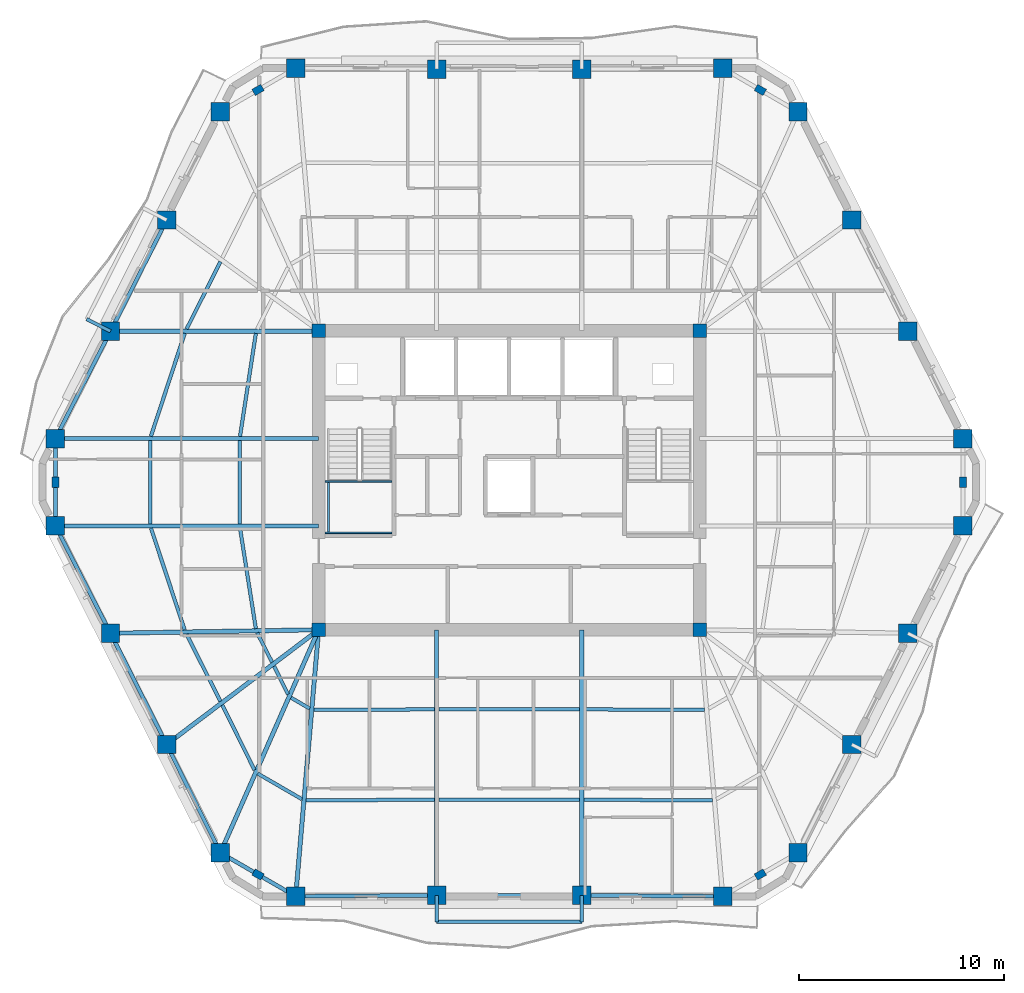
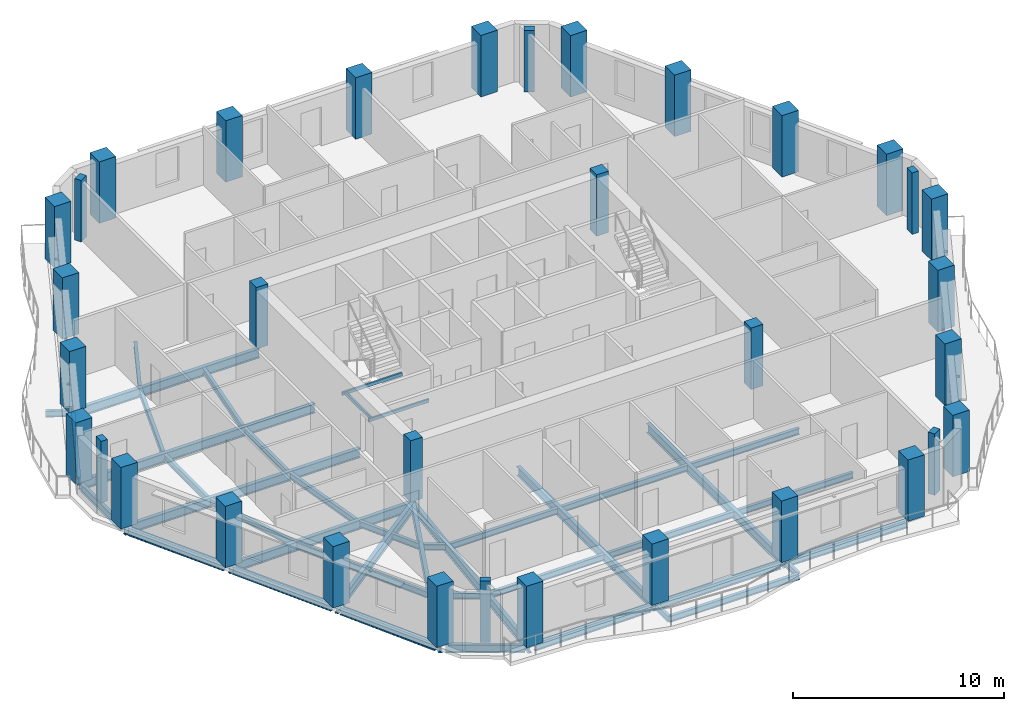
# One storey, part 1 of 11: 45 beams, 34 columns.
"""IFC4 building model written with IfcOpenShell, lengths in metres."""

import ifcopenshell
import ifcopenshell.guid

model = None  # the IFC model being written
_history = None  # IfcOwnerHistory: only IFC2X3 demands one
_inside = {}  # id of a spatial element -> (the spatial element, [elements in it])
_under = {}  # id of a project, library or spatial element -> (it, [spatial elements below it])
_declared = {}  # id of a project -> (the project, [libraries it declares])
_typed = {}  # id of a type object -> (the type object, [elements of that type])
_made_of = {}  # id of a material, layer set ... -> (it, [elements and type objects made of it])


def new_model(schema):
    """Start an empty IFC model of exactly this schema.

    Asked for "IFC4X3", IfcOpenShell would pick the latest addendum, in which some entities
    have other attributes; the version numbers below select the first issue.
    IFC2X3 requires an IfcOwnerHistory on every rooted entity: one is made here for all.
    """
    global model, _history
    if schema == "IFC4X3":
        model = ifcopenshell.file(schema_version=(4, 3, 0, 0))
    else:
        model = ifcopenshell.file(schema=schema)
    _inside.clear()
    _under.clear()
    _declared.clear()
    _typed.clear()
    _made_of.clear()
    _history = None
    if model.schema == "IFC2X3":
        org = make("IfcOrganization", Name="unknown")
        user = make(
            "IfcPersonAndOrganization",
            ThePerson=make("IfcPerson", FamilyName="unknown"),
            TheOrganization=org,
        )
        app = make(
            "IfcApplication",
            ApplicationDeveloper=org,
            Version="unknown",
            ApplicationFullName="unknown",
            ApplicationIdentifier="unknown",
        )
        _history = make(
            "IfcOwnerHistory",
            OwningUser=user,
            OwningApplication=app,
            ChangeAction="ADDED",
            CreationDate=0,
        )
    return model


def make(cls, **values):
    """One entity of the class cls with the attributes given. An attribute that is None is left unset."""
    return model.create_entity(
        cls, **{name: value for name, value in values.items() if value is not None}
    )


def rooted(cls, **values):
    """An entity with a GlobalId (a new one), such as an element, a storey or a relation."""
    return make(cls, GlobalId=ifcopenshell.guid.new(), OwnerHistory=_history, **values)


def si_unit(unit_type, name, prefix=None):
    """IfcSIUnit, for example si_unit("LENGTHUNIT", "METRE", prefix="MILLI")."""
    return make("IfcSIUnit", UnitType=unit_type, Prefix=prefix, Name=name)


def assignment(units):
    """IfcUnitAssignment: the units of a project."""
    return None if units is None else make("IfcUnitAssignment", Units=units)


def point(xyz):
    """IfcCartesianPoint."""
    return None if xyz is None else make("IfcCartesianPoint", Coordinates=xyz)


def direction(xyz):
    """IfcDirection."""
    return None if xyz is None else make("IfcDirection", DirectionRatios=xyz)


def frame(location, z_axis=None, x_axis=None):
    """IfcAxis2Placement3D, a coordinate frame: its origin and axes. An axis left out is left unset."""
    return make(
        "IfcAxis2Placement3D",
        Location=point(location),
        Axis=direction(z_axis),
        RefDirection=direction(x_axis),
    )


def frame_2d(location, x_axis=None):
    """IfcAxis2Placement2D, a coordinate frame in the plane: its origin and x axis."""
    return make(
        "IfcAxis2Placement2D", Location=point(location), RefDirection=direction(x_axis)
    )


def origin():
    """The frame at (0, 0, 0) with its axes left unset."""
    return frame((0.0, 0.0, 0.0))


def origin_2d():
    """The frame at (0, 0) in the plane with its x axis left unset."""
    return frame_2d((0.0, 0.0))


def place(relative_to, where):
    """IfcLocalPlacement: puts the frame where relative to a parent placement (None: the world)."""
    return make(
        "IfcLocalPlacement", PlacementRelTo=relative_to, RelativePlacement=where
    )


def context(
    kind, dimensions, precision=None, world=None, true_north=None, identifier=None
):
    """IfcGeometricRepresentationContext, for example the 3D "Model" context."""
    return make(
        "IfcGeometricRepresentationContext",
        ContextIdentifier=identifier,
        ContextType=kind,
        CoordinateSpaceDimension=dimensions,
        Precision=precision,
        WorldCoordinateSystem=world,
        TrueNorth=true_north,
    )


def subcontext(parent, identifier, kind, view, scale=None):
    """IfcGeometricRepresentationSubContext, for example "Body" below "Model"."""
    return make(
        "IfcGeometricRepresentationSubContext",
        ContextIdentifier=identifier,
        ContextType=kind,
        ParentContext=parent,
        TargetScale=scale,
        TargetView=view,
    )


def project(units=None, contexts=None):
    """IfcProject with its units and contexts."""
    return rooted(
        "IfcProject",
        Name="project",
        RepresentationContexts=contexts,
        UnitsInContext=assignment(units),
    )


def spatial(cls, under=None, at=None, **own):
    """A site, building, storey or space (cls), placed at a placement, below another one or the project."""
    s = rooted(cls, ObjectPlacement=at, **own)
    if under is not None:
        _under.setdefault(under.id(), (under, []))[1].append(s)
    return s


def profile(cls, at=None, kind="AREA", **sizes):
    """A parametric profile (cls). Its sizes go by their IFC names, for example OverallWidth=200.0."""
    return make(cls, ProfileType=kind, Position=at, **sizes)


def rectangle(**sizes):
    """IfcRectangleProfileDef."""
    return profile("IfcRectangleProfileDef", **sizes)


def hollow_rectangle(**sizes):
    """IfcRectangleHollowProfileDef."""
    return profile("IfcRectangleHollowProfileDef", **sizes)


def i_section(**sizes):
    """IfcIShapeProfileDef."""
    return profile("IfcIShapeProfileDef", **sizes)


def extrude(swept, where, along, depth):
    """IfcExtrudedAreaSolid: the profile swept, set in the frame where, extruded along a direction by depth."""
    return make(
        "IfcExtrudedAreaSolid",
        SweptArea=swept,
        Position=where,
        ExtrudedDirection=direction(along),
        Depth=depth,
    )


def shape(context_of_items, identifier, shape_type, items):
    """IfcShapeRepresentation: the items that make up one representation, for example the "Body"."""
    return make(
        "IfcShapeRepresentation",
        ContextOfItems=context_of_items,
        RepresentationIdentifier=identifier,
        RepresentationType=shape_type,
        Items=items,
    )


def material(Name=None, Category=None):
    """IfcMaterial."""
    return make("IfcMaterial", Name=Name, Category=Category)


def material_profile(
    of_material, cross_section, Name=None, Category=None, Priority=None
):
    """IfcMaterialProfile: a cross section and its material."""
    return make(
        "IfcMaterialProfile",
        Name=Name,
        Material=of_material,
        Profile=cross_section,
        Priority=Priority,
        Category=Category,
    )


def profile_set(profiles, Name=None, composite=None):
    """IfcMaterialProfileSet."""
    return make(
        "IfcMaterialProfileSet",
        Name=Name,
        MaterialProfiles=profiles,
        CompositeProfile=composite,
    )


def made_of(thing, what):
    """Note that an element or type object is made of a material, layer set ...; save() writes the relation."""
    if what is not None:
        _made_of.setdefault(what.id(), (what, []))[1].append(thing)
    return thing


def type_object(cls, material=None, **own):
    """A type object (cls), such as IfcWallType, which elements share."""
    return made_of(rooted(cls, **own), material)


def element(
    cls,
    number,
    at=None,
    inside=None,
    cuts=None,
    type_object=None,
    material=None,
    context=None,
    identifier="Body",
    shape_type=None,
    held_by="IfcProductDefinitionShape",
    body=None,
    shapes=None,
    **own,
):
    """One element of the class cls, such as IfcWall. Its Tag is "e" and its number.

    at: its placement. inside: the storey or other place that contains it. cuts: it is an
    opening in that element (IfcRelVoidsElement). A single representation is given by context,
    identifier, shape_type and body (its items); several are given by shapes. held_by: the class
    of the entity that holds the representations. save() writes the other relations.
    """
    e = rooted(cls, Tag="e%d" % number, ObjectPlacement=at, **own)
    if body is not None:
        shapes = [shape(context, identifier, shape_type, body)]
    if shapes is not None:
        e.Representation = make(held_by, Representations=shapes)
    if inside is not None:
        _inside.setdefault(inside.id(), (inside, []))[1].append(e)
    if cuts is not None:
        rooted(
            "IfcRelVoidsElement", RelatingBuildingElement=cuts, RelatedOpeningElement=e
        )
    if type_object is not None:
        _typed.setdefault(type_object.id(), (type_object, []))[1].append(e)
    return made_of(e, material)


def aggregate(whole, parts):
    """IfcRelAggregates: a whole, such as a stair, and the parts it consists of."""
    return rooted("IfcRelAggregates", RelatingObject=whole, RelatedObjects=parts)


def save(model, path):
    """Write the relations noted so far, then the file.

    IfcRelAggregates (storeys below a building ...), IfcRelContainedInSpatialStructure (elements
    in a storey), IfcRelDefinesByType, IfcRelAssociatesMaterial and IfcRelDeclares: one each for
    every whole, place, type object, material and project.
    """
    for whole, parts in _under.values():
        aggregate(whole, parts)
    for where, things in _inside.values():
        rooted(
            "IfcRelContainedInSpatialStructure",
            RelatedElements=things,
            RelatingStructure=where,
        )
    for kind, things in _typed.values():
        rooted("IfcRelDefinesByType", RelatedObjects=things, RelatingType=kind)
    for what, things in _made_of.values():
        rooted("IfcRelAssociatesMaterial", RelatedObjects=things, RelatingMaterial=what)
    for by, libraries in _declared.values():
        rooted("IfcRelDeclares", RelatingContext=by, RelatedDefinitions=libraries)
    model.write(path)


model = new_model("IFC4")

# Units and contexts
model_context = context("Model", 3, precision=1e-05, world=origin(), true_north=direction((0.0, 1.0)))
body_context = subcontext(model_context, "Body", "Model", "MODEL_VIEW")
ifc_project = project(units=[si_unit("LENGTHUNIT", "METRE"), si_unit("AREAUNIT", "SQUARE_METRE"), si_unit("VOLUMEUNIT", "CUBIC_METRE"), si_unit("PLANEANGLEUNIT", "RADIAN"), si_unit("MASSUNIT", "GRAM", prefix="KILO")], contexts=[model_context])

# Site, building, storey
site_placement = place(None, origin())
site = spatial("IfcSite", under=ifc_project, at=site_placement, CompositionType="ELEMENT")
building_placement = place(site_placement, origin())
building = spatial("IfcBuilding", under=site, at=building_placement, Name="Cinnabar Lancet Tower", CompositionType="ELEMENT")
storey_placement = place(building_placement, frame((0.0, 0.0, 182.550048828125)))
storey = spatial("IfcBuildingStorey", under=building, at=storey_placement, Name="L48", CompositionType="ELEMENT", Elevation=182.550048828125)

# Columns
ifc_material_1 = material(Name="Concrete C60/75", Category="concrete")
ifc_material_profile_1 = material_profile(ifc_material_1, rectangle(XDim=0.64990234375, YDim=0.64990234375, at=origin_2d()), Name="RC-COL 650x650")
ifc_profile_set_1 = profile_set([ifc_material_profile_1], Name="Concrete C60/75")
column_type_1 = type_object("IfcColumnType", Name="STR-COL-CORE-650", PredefinedType="COLUMN", material=ifc_profile_set_1)
for number, where, z_axis, x_axis, name in (
    (1, (23.10009765625, 18.60009765625, 0.0), (0.0, 0.0, 1.0), (1.0, 0.0, 0.0), "L48 Core Corner Column SW"),
    (2, (41.699951171875, 18.60009765625, 0.0), (0.0, 0.0, 1.0), (1.0, 0.0, 0.0), "L48 Core Corner Column SE"),
    (3, (41.699951171875, 33.199951171875, 0.0), (0.0, 0.0, 1.0), (1.0, 0.0, 0.0), "L48 Core Corner Column NE"),
    (4, (23.10009765625, 33.199951171875, 0.0), (0.0, 0.0, 1.0), (1.0, 0.0, 0.0), "L48 Core Corner Column NW"),
):
    element("IfcColumn", number, at=place(storey_placement, frame(where, z_axis=z_axis, x_axis=x_axis)), inside=storey, type_object=column_type_1, Name=name, PredefinedType="COLUMN", context=body_context, shape_type="SweptSolid", body=[
        extrude(rectangle(XDim=0.64990234375, YDim=0.64990234375, at=origin_2d()), origin(), (0.0, 0.0, 1.0), 3.550048828125),
    ])
ifc_material_2 = material(Name="Concrete C60/75", Category="concrete")
ifc_material_profile_2 = material_profile(ifc_material_2, rectangle(XDim=0.5, YDim=0.35009765625, at=origin_2d()), Name="RC-PIL 500x350")
ifc_profile_set_2 = profile_set([ifc_material_profile_2], Name="Concrete C60/75")
column_type_2 = type_object("IfcColumnType", Name="STR-COL-PIL-500", PredefinedType="PILASTER", material=ifc_profile_set_2)
for number, where, z_axis, x_axis, name in (
    (5, (20.14208984375, 6.654052734375, 0.0), (0.0, 0.0, 1.0), (0.865230187018, -0.501374833306, 0.0), "L48 Chamfered Corner Pilaster 1"),
    (6, (44.657958984375, 6.654052734375, 0.0), (0.0, 0.0, 1.0), (0.865230187018, 0.501374833306, 0.0), "L48 Chamfered Corner Pilaster 2"),
    (7, (54.547119140625, 25.800048828125, 0.0), (0.0, 0.0, 1.0), (0.0, 1.0, 0.0), "L48 Chamfered Corner Pilaster 3"),
    (8, (44.657958984375, 44.947021484375, 0.0), (0.0, 0.0, 1.0), (-0.865230187018, 0.501374833306, 0.0), "L48 Chamfered Corner Pilaster 4"),
    (9, (20.14208984375, 44.947021484375, 0.0), (0.0, 0.0, 1.0), (-0.865230187018, -0.501374833306, 0.0), "L48 Chamfered Corner Pilaster 5"),
    (10, (10.2529296875, 25.800048828125, 0.0), (0.0, 0.0, 1.0), (0.0, -1.0, 0.0), "L48 Chamfered Corner Pilaster 6"),
):
    element("IfcColumn", number, at=place(storey_placement, frame(where, z_axis=z_axis, x_axis=x_axis)), inside=storey, type_object=column_type_2, Name=name, PredefinedType="PILASTER", context=body_context, shape_type="SweptSolid", body=[
        extrude(rectangle(XDim=0.5, YDim=0.35009765625, at=origin_2d()), origin(), (0.0, 0.0, 1.0), 3.550048828125),
    ])
ifc_material_3 = material(Name="Concrete C60/75", Category="concrete")
ifc_material_profile_3 = material_profile(ifc_material_3, rectangle(XDim=0.89990234375, YDim=0.89990234375, at=origin_2d()), Name="RC-COL 900x900")
ifc_profile_set_3 = profile_set([ifc_material_profile_3], Name="Concrete C60/75")
column_type_3 = type_object("IfcColumnType", Name="STR-COL-TUBE-900", PredefinedType="COLUMN", material=ifc_profile_set_3)
for number, where, z_axis, x_axis, name in (
    (11, (21.97900390625, 5.589111328125, 0.0), (0.0, 0.0, 1.0), (1.0, 0.0, 0.0), "L48 Perimeter Tube Column 1"),
    (12, (28.85693359375, 5.64208984375, 0.0), (0.0, 0.0, 1.0), (1.0, 0.0, 0.0), "L48 Perimeter Tube Column 2"),
    (13, (35.943115234375, 5.64208984375, 0.0), (0.0, 0.0, 1.0), (1.0, 0.0, 0.0), "L48 Perimeter Tube Column 3"),
    (14, (42.821044921875, 5.589111328125, 0.0), (0.0, 0.0, 1.0), (1.0, 0.0, 0.0), "L48 Perimeter Tube Column 4"),
    (15, (46.4951171875, 7.718017578125, 0.0), (0.0, 0.0, 1.0), (1.0, 0.0, 0.0), "L48 Perimeter Tube Column 5"),
    (16, (49.118896484375, 13.0009765625, 0.0), (0.0, 0.0, 1.0), (1.0, 0.0, 0.0), "L48 Perimeter Tube Column 6"),
    (17, (51.85791015625, 18.428955078125, 0.0), (0.0, 0.0, 1.0), (1.0, 0.0, 0.0), "L48 Perimeter Tube Column 7"),
    (18, (54.547119140625, 23.66796875, 0.0), (0.0, 0.0, 1.0), (1.0, 0.0, 0.0), "L48 Perimeter Tube Column 8"),
    (19, (54.547119140625, 27.931884765625, 0.0), (0.0, 0.0, 1.0), (1.0, 0.0, 0.0), "L48 Perimeter Tube Column 9"),
    (20, (51.85791015625, 33.1708984375, 0.0), (0.0, 0.0, 1.0), (1.0, 0.0, 0.0), "L48 Perimeter Tube Column 10"),
    (21, (49.118896484375, 38.59912109375, 0.0), (0.0, 0.0, 1.0), (1.0, 0.0, 0.0), "L48 Perimeter Tube Column 11"),
    (22, (46.4951171875, 43.882080078125, 0.0), (0.0, 0.0, 1.0), (1.0, 0.0, 0.0), "L48 Perimeter Tube Column 12"),
    (23, (42.821044921875, 46.010986328125, 0.0), (0.0, 0.0, 1.0), (1.0, 0.0, 0.0), "L48 Perimeter Tube Column 13"),
    (24, (35.943115234375, 45.9580078125, 0.0), (0.0, 0.0, 1.0), (1.0, 0.0, 0.0), "L48 Perimeter Tube Column 14"),
    (25, (28.85693359375, 45.9580078125, 0.0), (0.0, 0.0, 1.0), (1.0, 0.0, 0.0), "L48 Perimeter Tube Column 15"),
    (26, (21.97900390625, 46.010986328125, 0.0), (0.0, 0.0, 1.0), (1.0, 0.0, 0.0), "L48 Perimeter Tube Column 16"),
    (27, (18.304931640625, 43.882080078125, 0.0), (0.0, 0.0, 1.0), (1.0, 0.0, 0.0), "L48 Perimeter Tube Column 17"),
    (28, (15.680908203125, 38.59912109375, 0.0), (0.0, 0.0, 1.0), (1.0, 0.0, 0.0), "L48 Perimeter Tube Column 18"),
    (29, (12.94189453125, 33.1708984375, 0.0), (0.0, 0.0, 1.0), (1.0, 0.0, 0.0), "L48 Perimeter Tube Column 19"),
    (30, (10.2529296875, 27.931884765625, 0.0), (0.0, 0.0, 1.0), (1.0, 0.0, 0.0), "L48 Perimeter Tube Column 20"),
    (31, (10.2529296875, 23.66796875, 0.0), (0.0, 0.0, 1.0), (1.0, 0.0, 0.0), "L48 Perimeter Tube Column 21"),
    (32, (12.94189453125, 18.428955078125, 0.0), (0.0, 0.0, 1.0), (1.0, 0.0, 0.0), "L48 Perimeter Tube Column 22"),
    (33, (15.680908203125, 13.0009765625, 0.0), (0.0, 0.0, 1.0), (1.0, 0.0, 0.0), "L48 Perimeter Tube Column 23"),
    (34, (18.304931640625, 7.718017578125, 0.0), (0.0, 0.0, 1.0), (1.0, 0.0, 0.0), "L48 Perimeter Tube Column 24"),
):
    element("IfcColumn", number, at=place(storey_placement, frame(where, z_axis=z_axis, x_axis=x_axis)), inside=storey, type_object=column_type_3, Name=name, PredefinedType="COLUMN", context=body_context, shape_type="SweptSolid", body=[
        extrude(rectangle(XDim=0.89990234375, YDim=0.89990234375, at=origin_2d()), origin(), (0.0, 0.0, 1.0), 3.550048828125),
    ])

# Beams
ifc_material_4 = material(Name="Structural steel S355", Category="steel")
ifc_material_profile_4 = material_profile(ifc_material_4, i_section(OverallWidth=0.17138671875, OverallDepth=0.35498046875, WebThickness=0.00732421875, FlangeThickness=0.011474609375, FilletRadius=0.01025390625, at=origin_2d()), Name="UKB 356x171x51")
ifc_profile_set_4 = profile_set([ifc_material_profile_4], Name="Structural steel S355")
beam_type_1 = type_object("IfcBeamType", Name="STR-BM-JST-356", PredefinedType="JOIST", material=ifc_profile_set_4)
beam_1_placement = place(storey_placement, frame((14.9130859375, 23.56298828125, -0.3779296875), z_axis=(0.315346227037, -0.948976689436, 0.0), x_axis=(0.948976689436, 0.315346227037, 0.0)))
element("IfcBeam", 35, at=beam_1_placement, inside=storey, type_object=beam_type_1, Name="L48 Secondary Floor Joist 1", PredefinedType="JOIST", context=body_context, shape_type="SweptSolid", body=[
    extrude(i_section(OverallWidth=0.17138671875, OverallDepth=0.35498046875, WebThickness=0.00732421875, FlangeThickness=0.011474609375, FilletRadius=0.01025390625, at=origin_2d()), origin(), (0.0, 0.0, 1.0), 5.235107421875),
])
beam_2_placement = place(storey_placement, frame((19.261962890625, 23.56298828125, -0.3779296875), z_axis=(0.155702775827, -0.987803950994, 0.0), x_axis=(0.987803950994, 0.155702775827, 0.0)))
element("IfcBeam", 36, at=beam_2_placement, inside=storey, type_object=beam_type_1, Name="L48 Secondary Floor Joist 2", PredefinedType="JOIST", context=body_context, shape_type="SweptSolid", body=[
    extrude(i_section(OverallWidth=0.17138671875, OverallDepth=0.35498046875, WebThickness=0.00732421875, FlangeThickness=0.011474609375, FilletRadius=0.01025390625, at=origin_2d()), origin(), (0.0, 0.0, 1.0), 4.970458984375),
])
beam_3_placement = place(storey_placement, frame((16.65087890625, 18.386962890625, -0.3779296875), z_axis=(0.45061776862, -0.892716991327, 0.0), x_axis=(0.892716991327, 0.45061776862, 0.0)))
element("IfcBeam", 37, at=beam_3_placement, inside=storey, type_object=beam_type_1, Name="L48 Secondary Floor Joist 3", PredefinedType="JOIST", context=body_context, shape_type="SweptSolid", body=[
    extrude(i_section(OverallWidth=0.17138671875, OverallDepth=0.35498046875, WebThickness=0.00732421875, FlangeThickness=0.011474609375, FilletRadius=0.01025390625, at=origin_2d()), origin(), (0.0, 0.0, 1.0), 3.66845703125),
])
beam_4_placement = place(storey_placement, frame((20.10498046875, 18.445068359375, -0.3779296875), z_axis=(0.450137936259, -0.892959035085, 0.0), x_axis=(0.892959035085, 0.450137936259, 0.0)))
element("IfcBeam", 38, at=beam_4_placement, inside=storey, type_object=beam_type_1, Name="L48 Secondary Floor Joist 4", PredefinedType="JOIST", context=body_context, shape_type="SweptSolid", body=[
    extrude(i_section(OverallWidth=0.17138671875, OverallDepth=0.35498046875, WebThickness=0.00732421875, FlangeThickness=0.011474609375, FilletRadius=0.01025390625, at=origin_2d()), origin(), (0.0, 0.0, 1.0), 1.6015625),
])
beam_5_placement = place(storey_placement, frame((18.39892578125, 14.9208984375, -0.3779296875), z_axis=(0.445083338565, -0.895489152214, 0.0), x_axis=(0.895489152214, 0.445083338565, 0.0)))
element("IfcBeam", 39, at=beam_5_placement, inside=storey, type_object=beam_type_1, Name="L48 Secondary Floor Joist 5", PredefinedType="JOIST", context=body_context, shape_type="SweptSolid", body=[
    extrude(i_section(OverallWidth=0.17138671875, OverallDepth=0.35498046875, WebThickness=0.00732421875, FlangeThickness=0.011474609375, FilletRadius=0.01025390625, at=origin_2d()), origin(), (0.0, 0.0, 1.0), 3.531982421875),
])
beam_6_placement = place(storey_placement, frame((20.922119140625, 16.824951171875, -0.3779296875), z_axis=(0.444589856968, -0.895734256954, 0.0), x_axis=(0.895734256954, 0.444589856968, 0.0)))
element("IfcBeam", 40, at=beam_6_placement, inside=storey, type_object=beam_type_1, Name="L48 Secondary Floor Joist 6", PredefinedType="JOIST", context=body_context, shape_type="SweptSolid", body=[
    extrude(i_section(OverallWidth=0.17138671875, OverallDepth=0.35498046875, WebThickness=0.00732421875, FlangeThickness=0.011474609375, FilletRadius=0.01025390625, at=origin_2d()), origin(), (0.0, 0.0, 1.0), 1.527099609375),
])
beam_7_placement = place(storey_placement, frame((20.1220703125, 11.5830078125, -0.3779296875), z_axis=(0.865267839663, -0.501309849937, 0.0), x_axis=(0.501309849937, 0.865267839663, 0.0)))
element("IfcBeam", 41, at=beam_7_placement, inside=storey, type_object=beam_type_1, Name="L48 Secondary Floor Joist 7", PredefinedType="JOIST", context=body_context, shape_type="SweptSolid", body=[
    extrude(i_section(OverallWidth=0.17138671875, OverallDepth=0.35498046875, WebThickness=0.00732421875, FlangeThickness=0.011474609375, FilletRadius=0.01025390625, at=origin_2d()), origin(), (0.0, 0.0, 1.0), 2.497314453125),
])
beam_8_placement = place(storey_placement, frame((21.7529296875, 15.282958984375, -0.3779296875), z_axis=(0.8651881055, -0.501447446998, 0.0), x_axis=(0.501447446998, 0.8651881055, 0.0)))
element("IfcBeam", 42, at=beam_8_placement, inside=storey, type_object=beam_type_1, Name="L48 Secondary Floor Joist 8", PredefinedType="JOIST", context=body_context, shape_type="SweptSolid", body=[
    extrude(i_section(OverallWidth=0.17138671875, OverallDepth=0.35498046875, WebThickness=0.00732421875, FlangeThickness=0.011474609375, FilletRadius=0.01025390625, at=origin_2d()), origin(), (0.0, 0.0, 1.0), 1.05322265625),
])
beam_9_placement = place(storey_placement, frame((22.488037109375, 10.27392578125, -0.3779296875), z_axis=(0.999986965561, 0.005105752523, 0.0), x_axis=(-0.005105752523, 0.999986965561, 0.0)))
element("IfcBeam", 43, at=beam_9_placement, inside=storey, type_object=beam_type_1, Name="L48 Secondary Floor Joist 9", PredefinedType="JOIST", context=body_context, shape_type="SweptSolid", body=[
    extrude(i_section(OverallWidth=0.17138671875, OverallDepth=0.35498046875, WebThickness=0.00732421875, FlangeThickness=0.011474609375, FilletRadius=0.01025390625, at=origin_2d()), origin(), (0.0, 0.0, 1.0), 6.263916015625),
])
beam_10_placement = place(storey_placement, frame((22.868896484375, 14.697021484375, -0.3779296875), z_axis=(0.999996795933, 0.002531427338, 0.0), x_axis=(-0.002531427338, 0.999996795933, 0.0)))
element("IfcBeam", 44, at=beam_10_placement, inside=storey, type_object=beam_type_1, Name="L48 Secondary Floor Joist 10", PredefinedType="JOIST", context=body_context, shape_type="SweptSolid", body=[
    extrude(i_section(OverallWidth=0.17138671875, OverallDepth=0.35498046875, WebThickness=0.00732421875, FlangeThickness=0.011474609375, FilletRadius=0.01025390625, at=origin_2d()), origin(), (0.0, 0.0, 1.0), 5.883056640625),
])
for number, where, z_axis, x_axis, name in (
    (45, (28.9619140625, 10.306884765625, -0.3779296875), (1.0, 0.0, 0.0), (0.0, 1.0, 0.0), "L48 Secondary Floor Joist 11"),
    (46, (28.9619140625, 14.712890625, -0.3779296875), (1.0, 0.0, 0.0), (0.0, 1.0, 0.0), "L48 Secondary Floor Joist 12"),
):
    element("IfcBeam", number, at=place(storey_placement, frame(where, z_axis=z_axis, x_axis=x_axis)), inside=storey, type_object=beam_type_1, Name=name, PredefinedType="JOIST", context=body_context, shape_type="SweptSolid", body=[
        extrude(i_section(OverallWidth=0.17138671875, OverallDepth=0.35498046875, WebThickness=0.00732421875, FlangeThickness=0.011474609375, FilletRadius=0.01025390625, at=origin_2d()), origin(), (0.0, 0.0, 1.0), 6.8759765625),
    ])
beam_11_placement = place(storey_placement, frame((36.048095703125, 10.305908203125, -0.3779296875), z_axis=(0.999986965561, -0.005105752523, 0.0), x_axis=(0.005105752523, 0.999986965561, 0.0)))
element("IfcBeam", 47, at=beam_11_placement, inside=storey, type_object=beam_type_1, Name="L48 Secondary Floor Joist 13", PredefinedType="JOIST", context=body_context, shape_type="SweptSolid", body=[
    extrude(i_section(OverallWidth=0.17138671875, OverallDepth=0.35498046875, WebThickness=0.00732421875, FlangeThickness=0.011474609375, FilletRadius=0.01025390625, at=origin_2d()), origin(), (0.0, 0.0, 1.0), 6.263916015625),
])
beam_12_placement = place(storey_placement, frame((36.048095703125, 14.7119140625, -0.3779296875), z_axis=(0.999996795667, -0.002531532393, 0.0), x_axis=(0.002531532393, 0.999996795667, 0.0)))
element("IfcBeam", 48, at=beam_12_placement, inside=storey, type_object=beam_type_1, Name="L48 Secondary Floor Joist 14", PredefinedType="JOIST", context=body_context, shape_type="SweptSolid", body=[
    extrude(i_section(OverallWidth=0.17138671875, OverallDepth=0.35498046875, WebThickness=0.00732421875, FlangeThickness=0.011474609375, FilletRadius=0.01025390625, at=origin_2d()), origin(), (0.0, 0.0, 1.0), 5.8828125),
])
beam_13_placement = place(storey_placement, frame((18.303955078125, 36.56103515625, -0.3779296875), z_axis=(-0.449230875134, -0.893415704376, 0.0), x_axis=(0.893415704376, -0.449230875134, 0.0)))
element("IfcBeam", 49, at=beam_13_placement, inside=storey, type_object=beam_type_1, Name="L48 Secondary Floor Joist 43", PredefinedType="JOIST", context=body_context, shape_type="SweptSolid", body=[
    extrude(i_section(OverallWidth=0.17138671875, OverallDepth=0.35498046875, WebThickness=0.00732421875, FlangeThickness=0.011474609375, FilletRadius=0.01025390625, at=origin_2d()), origin(), (0.0, 0.0, 1.0), 3.677001953125),
])
beam_14_placement = place(storey_placement, frame((16.56494140625, 33.06591796875, -0.3779296875), z_axis=(-0.312240109925, -0.95000321776, 0.0), x_axis=(0.95000321776, -0.312240109925, 0.0)))
element("IfcBeam", 50, at=beam_14_placement, inside=storey, type_object=beam_type_1, Name="L48 Secondary Floor Joist 45", PredefinedType="JOIST", context=body_context, shape_type="SweptSolid", body=[
    extrude(i_section(OverallWidth=0.17138671875, OverallDepth=0.35498046875, WebThickness=0.00732421875, FlangeThickness=0.011474609375, FilletRadius=0.01025390625, at=origin_2d()), origin(), (0.0, 0.0, 1.0), 5.29345703125),
])
beam_15_placement = place(storey_placement, frame((20.035888671875, 33.06591796875, -0.3779296875), z_axis=(-0.152107663797, -0.988363930248, 0.0), x_axis=(0.988363930248, -0.152107663797, 0.0)))
element("IfcBeam", 51, at=beam_15_placement, inside=storey, type_object=beam_type_1, Name="L48 Secondary Floor Joist 46", PredefinedType="JOIST", context=body_context, shape_type="SweptSolid", body=[
    extrude(i_section(OverallWidth=0.17138671875, OverallDepth=0.35498046875, WebThickness=0.00732421875, FlangeThickness=0.011474609375, FilletRadius=0.01025390625, at=origin_2d()), origin(), (0.0, 0.0, 1.0), 5.088134765625),
])
for number, where, z_axis, x_axis, name in (
    (52, (14.8779296875, 27.826904296875, -0.3779296875), (0.0, -1.0, 0.0), (1.0, 0.0, 0.0), "L48 Secondary Floor Joist 47"),
    (53, (19.24609375, 27.826904296875, -0.3779296875), (0.0, -1.0, 0.0), (1.0, 0.0, 0.0), "L48 Secondary Floor Joist 48"),
):
    element("IfcBeam", number, at=place(storey_placement, frame(where, z_axis=z_axis, x_axis=x_axis)), inside=storey, type_object=beam_type_1, Name=name, PredefinedType="JOIST", context=body_context, shape_type="SweptSolid", body=[
        extrude(i_section(OverallWidth=0.17138671875, OverallDepth=0.35498046875, WebThickness=0.00732421875, FlangeThickness=0.011474609375, FilletRadius=0.01025390625, at=origin_2d()), origin(), (0.0, 0.0, 1.0), 4.053955078125),
    ])
ifc_material_5 = material(Name="Structural steel S355", Category="steel")
ifc_material_profile_5 = material_profile(ifc_material_5, hollow_rectangle(XDim=0.10009765625, YDim=0.199951171875, WallThickness=0.008056640625, InnerFilletRadius=0.00390625, OuterFilletRadius=0.011962890625, at=origin_2d()), Name="RHS 200x100x8")
ifc_profile_set_5 = profile_set([ifc_material_profile_5], Name="Structural steel S355")
beam_type_2 = type_object("IfcBeamType", Name="STR-BM-LND-203", PredefinedType="BEAM", material=ifc_profile_set_5)
for number, where, z_axis, x_axis, name in (
    (54, (23.39990234375, 23.330078125, 1.474853515625), (1.0, 0.0, 0.0), (0.0, 1.0, 0.0), "L48 ST-1-L48 Landing Support Beam S"),
    (55, (23.39990234375, 25.844970703125, 1.474853515625), (1.0, 0.0, 0.0), (0.0, 1.0, 0.0), "L48 ST-1-L48 Landing Support Beam N"),
):
    element("IfcBeam", number, at=place(storey_placement, frame(where, z_axis=z_axis, x_axis=x_axis)), inside=storey, type_object=beam_type_2, Name=name, PredefinedType="BEAM", context=body_context, shape_type="SweptSolid", body=[
        extrude(hollow_rectangle(XDim=0.10009765625, YDim=0.199951171875, WallThickness=0.008056640625, InnerFilletRadius=0.00390625, OuterFilletRadius=0.011962890625, at=origin_2d()), origin(), (0.0, 0.0, 1.0), 3.280029296875),
    ])
beam_16_placement = place(storey_placement, frame((23.580078125, 23.3798828125, 1.474853515625), z_axis=(0.0, 1.0, 0.0), x_axis=(-1.0, 0.0, 0.0)))
element("IfcBeam", 56, at=beam_16_placement, inside=storey, type_object=beam_type_2, Name="L48 ST-1-L48 Landing Side Trimmer Beam", PredefinedType="BEAM", context=body_context, shape_type="SweptSolid", body=[
    extrude(hollow_rectangle(XDim=0.10009765625, YDim=0.199951171875, WallThickness=0.008056640625, InnerFilletRadius=0.00390625, OuterFilletRadius=0.011962890625, at=origin_2d()), origin(), (0.0, 0.0, 1.0), 2.4150390625),
])
ifc_material_6 = material(Name="Structural steel S355", Category="steel")
ifc_material_profile_6 = material_profile(ifc_material_6, i_section(OverallWidth=0.1904296875, OverallDepth=0.45703125, WebThickness=0.009033203125, FlangeThickness=0.014404296875, FilletRadius=0.01025390625, at=origin_2d()), Name="UKB 457x191x74")
ifc_profile_set_6 = profile_set([ifc_material_profile_6], Name="Structural steel S355")
beam_type_3 = type_object("IfcBeamType", Name="STR-BM-SPN-457", PredefinedType="SPANDREL", material=ifc_profile_set_6)
beam_17_placement = place(storey_placement, frame((22.22900390625, 5.591064453125, -0.428955078125), z_axis=(0.999970695686, 0.007655571089, 0.0), x_axis=(-0.007655571089, 0.999970695686, 0.0)))
element("IfcBeam", 57, at=beam_17_placement, inside=storey, type_object=beam_type_3, Name="L48 Perimeter Spandrel 1", PredefinedType="SPANDREL", context=body_context, shape_type="SweptSolid", body=[
    extrude(i_section(OverallWidth=0.1904296875, OverallDepth=0.45703125, WebThickness=0.009033203125, FlangeThickness=0.014404296875, FilletRadius=0.01025390625, at=origin_2d()), origin(), (0.0, 0.0, 1.0), 6.378173828125),
])
beam_18_placement = place(storey_placement, frame((29.10693359375, 5.64208984375, -0.428955078125), z_axis=(1.0, 0.0, 0.0), x_axis=(0.0, 1.0, 0.0)))
element("IfcBeam", 58, at=beam_18_placement, inside=storey, type_object=beam_type_3, Name="L48 Perimeter Spandrel 2", PredefinedType="SPANDREL", context=body_context, shape_type="SweptSolid", body=[
    extrude(i_section(OverallWidth=0.1904296875, OverallDepth=0.45703125, WebThickness=0.009033203125, FlangeThickness=0.014404296875, FilletRadius=0.01025390625, at=origin_2d()), origin(), (0.0, 0.0, 1.0), 6.586181640625),
])
beam_19_placement = place(storey_placement, frame((36.193115234375, 5.639892578125, -0.428955078125), z_axis=(0.999970695686, -0.007655571089, 0.0), x_axis=(0.007655571089, 0.999970695686, 0.0)))
element("IfcBeam", 59, at=beam_19_placement, inside=storey, type_object=beam_type_3, Name="L48 Perimeter Spandrel 3", PredefinedType="SPANDREL", context=body_context, shape_type="SweptSolid", body=[
    extrude(i_section(OverallWidth=0.1904296875, OverallDepth=0.45703125, WebThickness=0.009033203125, FlangeThickness=0.014404296875, FilletRadius=0.01025390625, at=origin_2d()), origin(), (0.0, 0.0, 1.0), 6.378173828125),
])
beam_20_placement = place(storey_placement, frame((15.568115234375, 38.3759765625, -0.428955078125), z_axis=(-0.450395996562, -0.892828900899, 0.0), x_axis=(0.892828900899, -0.450395996562, 0.0)))
element("IfcBeam", 60, at=beam_20_placement, inside=storey, type_object=beam_type_3, Name="L48 Perimeter Spandrel 18", PredefinedType="SPANDREL", context=body_context, shape_type="SweptSolid", body=[
    extrude(i_section(OverallWidth=0.1904296875, OverallDepth=0.45703125, WebThickness=0.009033203125, FlangeThickness=0.014404296875, FilletRadius=0.01025390625, at=origin_2d()), origin(), (0.0, 0.0, 1.0), 5.579833984375),
])
beam_21_placement = place(storey_placement, frame((12.827880859375, 32.948974609375, -0.428955078125), z_axis=(-0.456610910924, -0.889666497079, 0.0), x_axis=(0.889666497079, -0.456610910924, 0.0)))
element("IfcBeam", 61, at=beam_21_placement, inside=storey, type_object=beam_type_3, Name="L48 Perimeter Spandrel 19", PredefinedType="SPANDREL", context=body_context, shape_type="SweptSolid", body=[
    extrude(i_section(OverallWidth=0.1904296875, OverallDepth=0.45703125, WebThickness=0.009033203125, FlangeThickness=0.014404296875, FilletRadius=0.01025390625, at=origin_2d()), origin(), (0.0, 0.0, 1.0), 5.3896484375),
])
beam_22_placement = place(storey_placement, frame((10.2529296875, 27.681884765625, -0.428955078125), z_axis=(0.0, -1.0, 0.0), x_axis=(1.0, 0.0, 0.0)))
element("IfcBeam", 62, at=beam_22_placement, inside=storey, type_object=beam_type_3, Name="L48 Perimeter Spandrel 20", PredefinedType="SPANDREL", context=body_context, shape_type="SweptSolid", body=[
    extrude(i_section(OverallWidth=0.1904296875, OverallDepth=0.45703125, WebThickness=0.009033203125, FlangeThickness=0.014404296875, FilletRadius=0.01025390625, at=origin_2d()), origin(), (0.0, 0.0, 1.0), 3.763916015625),
])
beam_23_placement = place(storey_placement, frame((10.366943359375, 23.446044921875, -0.428955078125), z_axis=(0.456592509812, -0.889675940994, 0.0), x_axis=(0.889675940994, 0.456592509812, 0.0)))
element("IfcBeam", 63, at=beam_23_placement, inside=storey, type_object=beam_type_3, Name="L48 Perimeter Spandrel 21", PredefinedType="SPANDREL", context=body_context, shape_type="SweptSolid", body=[
    extrude(i_section(OverallWidth=0.1904296875, OverallDepth=0.45703125, WebThickness=0.009033203125, FlangeThickness=0.014404296875, FilletRadius=0.01025390625, at=origin_2d()), origin(), (0.0, 0.0, 1.0), 5.389892578125),
])
beam_24_placement = place(storey_placement, frame((13.054931640625, 18.2060546875, -0.428955078125), z_axis=(0.450395996562, -0.892828900899, 0.0), x_axis=(0.892828900899, 0.450395996562, 0.0)))
element("IfcBeam", 64, at=beam_24_placement, inside=storey, type_object=beam_type_3, Name="L48 Perimeter Spandrel 22", PredefinedType="SPANDREL", context=body_context, shape_type="SweptSolid", body=[
    extrude(i_section(OverallWidth=0.1904296875, OverallDepth=0.45703125, WebThickness=0.009033203125, FlangeThickness=0.014404296875, FilletRadius=0.01025390625, at=origin_2d()), origin(), (0.0, 0.0, 1.0), 5.579833984375),
])
beam_25_placement = place(storey_placement, frame((15.7919921875, 12.777099609375, -0.428955078125), z_axis=(0.444914968367, -0.895572817208, 0.0), x_axis=(0.895572817208, 0.444914968367, 0.0)))
element("IfcBeam", 65, at=beam_25_placement, inside=storey, type_object=beam_type_3, Name="L48 Perimeter Spandrel 23", PredefinedType="SPANDREL", context=body_context, shape_type="SweptSolid", body=[
    extrude(i_section(OverallWidth=0.1904296875, OverallDepth=0.45703125, WebThickness=0.009033203125, FlangeThickness=0.014404296875, FilletRadius=0.01025390625, at=origin_2d()), origin(), (0.0, 0.0, 1.0), 5.39892578125),
])
beam_26_placement = place(storey_placement, frame((18.52099609375, 7.593017578125, -0.428955078125), z_axis=(0.865195717586, -0.501434313016, 0.0), x_axis=(0.501434313016, 0.865195717586, 0.0)))
element("IfcBeam", 66, at=beam_26_placement, inside=storey, type_object=beam_type_3, Name="L48 Perimeter Spandrel 24", PredefinedType="SPANDREL", context=body_context, shape_type="SweptSolid", body=[
    extrude(i_section(OverallWidth=0.1904296875, OverallDepth=0.45703125, WebThickness=0.009033203125, FlangeThickness=0.014404296875, FilletRadius=0.01025390625, at=origin_2d()), origin(), (0.0, 0.0, 1.0), 3.7470703125),
])
ifc_material_7 = material(Name="Structural steel S355", Category="steel")
ifc_material_profile_7 = material_profile(ifc_material_7, i_section(OverallWidth=0.209228515625, OverallDepth=0.533203125, WebThickness=0.010009765625, FlangeThickness=0.015625, FilletRadius=0.0126953125, at=origin_2d()), Name="UKB 533x210x92")
ifc_profile_set_7 = profile_set([ifc_material_profile_7], Name="Structural steel S355")
beam_type_4 = type_object("IfcBeamType", Name="STR-BM-UKB533-92", PredefinedType="BEAM", material=ifc_profile_set_7)
beam_27_placement = place(storey_placement, frame((15.680908203125, 13.0009765625, -0.467041015625), z_axis=(0.798202971293, 0.602388592703, 0.0), x_axis=(-0.602388592703, 0.798202971293, 0.0)))
element("IfcBeam", 67, at=beam_27_placement, inside=storey, type_object=beam_type_4, Name="L48 Corner Collector Girder 1", PredefinedType="BEAM", context=body_context, shape_type="SweptSolid", body=[
    extrude(i_section(OverallWidth=0.209228515625, OverallDepth=0.533203125, WebThickness=0.010009765625, FlangeThickness=0.015625, FilletRadius=0.0126953125, at=origin_2d()), origin(), (0.0, 0.0, 1.0), 9.294921875),
])
beam_28_placement = place(storey_placement, frame((21.97900390625, 5.589111328125, -0.467041015625), z_axis=(0.085847068729, 0.996308326167, 0.0), x_axis=(-0.996308326167, 0.085847068729, 0.0)))
element("IfcBeam", 68, at=beam_28_placement, inside=storey, type_object=beam_type_4, Name="L48 Primary Floor Girder 1", PredefinedType="BEAM", context=body_context, shape_type="SweptSolid", body=[
    extrude(i_section(OverallWidth=0.209228515625, OverallDepth=0.533203125, WebThickness=0.010009765625, FlangeThickness=0.015625, FilletRadius=0.0126953125, at=origin_2d()), origin(), (0.0, 0.0, 1.0), 13.05908203125),
])
for number, where, z_axis, x_axis, name in (
    (69, (28.85693359375, 5.64208984375, -0.467041015625), (0.0, 1.0, 0.0), (-1.0, 0.0, 0.0), "L48 Primary Floor Girder 2"),
    (70, (35.943115234375, 5.64208984375, -0.467041015625), (0.0, 1.0, 0.0), (-1.0, 0.0, 0.0), "L48 Primary Floor Girder 3"),
):
    element("IfcBeam", number, at=place(storey_placement, frame(where, z_axis=z_axis, x_axis=x_axis)), inside=storey, type_object=beam_type_4, Name=name, PredefinedType="BEAM", context=body_context, shape_type="SweptSolid", body=[
        extrude(i_section(OverallWidth=0.209228515625, OverallDepth=0.533203125, WebThickness=0.010009765625, FlangeThickness=0.015625, FilletRadius=0.0126953125, at=origin_2d()), origin(), (0.0, 0.0, 1.0), 12.9580078125),
    ])
beam_29_placement = place(storey_placement, frame((12.94189453125, 33.1708984375, -0.467041015625), z_axis=(1.0, 0.0, 0.0), x_axis=(0.0, 1.0, 0.0)))
element("IfcBeam", 71, at=beam_29_placement, inside=storey, type_object=beam_type_4, Name="L48 Primary Floor Girder 19", PredefinedType="BEAM", context=body_context, shape_type="SweptSolid", body=[
    extrude(i_section(OverallWidth=0.209228515625, OverallDepth=0.533203125, WebThickness=0.010009765625, FlangeThickness=0.015625, FilletRadius=0.0126953125, at=origin_2d()), origin(), (0.0, 0.0, 1.0), 10.158203125),
])
for number, where, z_axis, x_axis, name in (
    (72, (10.2529296875, 27.931884765625, -0.467041015625), (1.0, 0.0, 0.0), (0.0, 1.0, 0.0), "L48 Primary Floor Girder 20"),
    (73, (10.2529296875, 23.66796875, -0.467041015625), (1.0, 0.0, 0.0), (0.0, 1.0, 0.0), "L48 Primary Floor Girder 21"),
):
    element("IfcBeam", number, at=place(storey_placement, frame(where, z_axis=z_axis, x_axis=x_axis)), inside=storey, type_object=beam_type_4, Name=name, PredefinedType="BEAM", context=body_context, shape_type="SweptSolid", body=[
        extrude(i_section(OverallWidth=0.209228515625, OverallDepth=0.533203125, WebThickness=0.010009765625, FlangeThickness=0.015625, FilletRadius=0.0126953125, at=origin_2d()), origin(), (0.0, 0.0, 1.0), 12.84716796875),
    ])
beam_30_placement = place(storey_placement, frame((12.94189453125, 18.428955078125, -0.467041015625), z_axis=(0.999858107345, 0.016845331024, 0.0), x_axis=(-0.016845331024, 0.999858107345, 0.0)))
element("IfcBeam", 74, at=beam_30_placement, inside=storey, type_object=beam_type_4, Name="L48 Primary Floor Girder 22", PredefinedType="BEAM", context=body_context, shape_type="SweptSolid", body=[
    extrude(i_section(OverallWidth=0.209228515625, OverallDepth=0.533203125, WebThickness=0.010009765625, FlangeThickness=0.015625, FilletRadius=0.0126953125, at=origin_2d()), origin(), (0.0, 0.0, 1.0), 10.15966796875),
])
beam_31_placement = place(storey_placement, frame((18.304931640625, 7.718017578125, -0.467041015625), z_axis=(0.403235299754, 0.915096329919, 0.0), x_axis=(-0.915096329919, 0.403235299754, 0.0)))
element("IfcBeam", 75, at=beam_31_placement, inside=storey, type_object=beam_type_4, Name="L48 Primary Floor Girder 24", PredefinedType="BEAM", context=body_context, shape_type="SweptSolid", body=[
    extrude(i_section(OverallWidth=0.209228515625, OverallDepth=0.533203125, WebThickness=0.010009765625, FlangeThickness=0.015625, FilletRadius=0.0126953125, at=origin_2d()), origin(), (0.0, 0.0, 1.0), 11.891845703125),
])
ifc_material_8 = material(Name="Structural steel S355", Category="steel")
ifc_material_profile_8 = material_profile(ifc_material_8, i_section(OverallWidth=0.17138671875, OverallDepth=0.35498046875, WebThickness=0.00732421875, FlangeThickness=0.011474609375, FilletRadius=0.01025390625, at=origin_2d()), Name="UKB 356x171x51")
ifc_profile_set_8 = profile_set([ifc_material_profile_8], Name="Structural steel S355")
beam_type_5 = type_object("IfcBeamType", Name="STR-BM-WAV-OUT", PredefinedType="BEAM", material=ifc_profile_set_8)
for number, where, z_axis, x_axis, name in (
    (76, (28.85693359375, 5.64208984375, -0.39697265625), (0.0, -1.0, 0.0), (1.0, 0.0, 0.0), "L48 Face 1 Balcony Outlooker A"),
    (77, (35.943115234375, 5.64208984375, -0.39697265625), (0.0, -1.0, 0.0), (1.0, 0.0, 0.0), "L48 Face 1 Balcony Outlooker B"),
    (78, (12.94189453125, 33.1708984375, -0.39697265625), (-0.892200264127, 0.451639998995, 0.0), (-0.451639998995, -0.892200264127, 0.0), "L48 Face 5 Balcony Outlooker B"),
):
    element("IfcBeam", number, at=place(storey_placement, frame(where, z_axis=z_axis, x_axis=x_axis)), inside=storey, type_object=beam_type_5, Name=name, PredefinedType="BEAM", context=body_context, shape_type="SweptSolid", body=[
        extrude(i_section(OverallWidth=0.17138671875, OverallDepth=0.35498046875, WebThickness=0.00732421875, FlangeThickness=0.011474609375, FilletRadius=0.01025390625, at=origin_2d()), origin(), (0.0, 0.0, 1.0), 1.300048828125),
    ])
ifc_material_9 = material(Name="Structural steel S355", Category="steel")
ifc_material_profile_9 = material_profile(ifc_material_9, i_section(OverallWidth=0.17138671875, OverallDepth=0.35498046875, WebThickness=0.00732421875, FlangeThickness=0.011474609375, FilletRadius=0.01025390625, at=origin_2d()), Name="UKB 356x171x51")
ifc_profile_set_9 = profile_set([ifc_material_profile_9], Name="Structural steel S355")
beam_type_6 = type_object("IfcBeamType", Name="STR-BM-WAV-TRIM", PredefinedType="SPANDREL", material=ifc_profile_set_9)
beam_32_placement = place(storey_placement, frame((28.85693359375, 4.342041015625, -0.39697265625), z_axis=(1.0, 0.0, 0.0), x_axis=(0.0, 1.0, 0.0)))
element("IfcBeam", 79, at=beam_32_placement, inside=storey, type_object=beam_type_6, Name="L48 Face 1 Balcony Edge Trimmer", PredefinedType="SPANDREL", context=body_context, shape_type="SweptSolid", body=[
    extrude(i_section(OverallWidth=0.17138671875, OverallDepth=0.35498046875, WebThickness=0.00732421875, FlangeThickness=0.011474609375, FilletRadius=0.01025390625, at=origin_2d()), origin(), (0.0, 0.0, 1.0), 7.086181640625),
])

save(model, "model.ifc")
